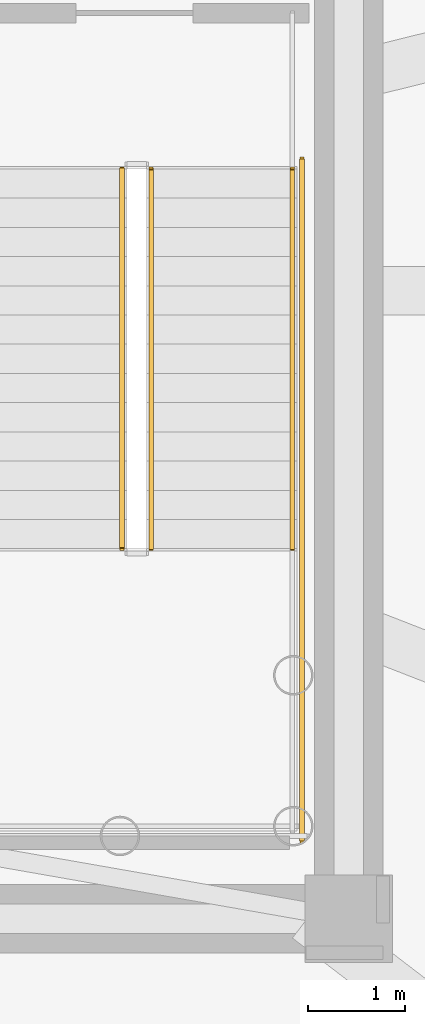
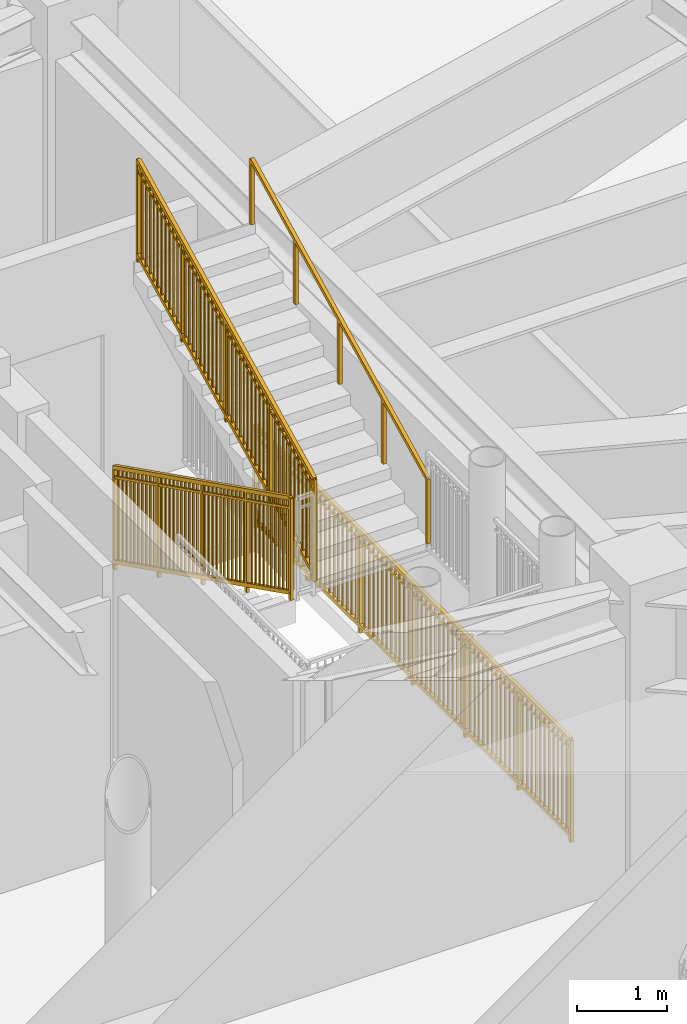
# One storey, part 20 of 23: 4 railings.
"""IFC4 building model written with IfcOpenShell, lengths in metres."""

from ifc_helpers import new_model, si_unit, direction, frame, origin, origin_2d, place, context, subcontext, project, spatial, rectangle, extrude, source, transform, mapped, material, type_object, element, save


model = new_model("IFC4")

# Units and contexts
model_context = context("Model", 3, precision=1e-05, world=origin(), true_north=direction((0.0, 1.0)))
body_context = subcontext(model_context, "Body", "Model", "MODEL_VIEW")
ifc_project = project(units=[si_unit("LENGTHUNIT", "METRE"), si_unit("AREAUNIT", "SQUARE_METRE"), si_unit("VOLUMEUNIT", "CUBIC_METRE"), si_unit("PLANEANGLEUNIT", "RADIAN"), si_unit("MASSUNIT", "GRAM", prefix="KILO")], contexts=[model_context])

# Site, building, storey
site_placement = place(None, origin())
site = spatial("IfcSite", under=ifc_project, at=site_placement, CompositionType="ELEMENT")
building_placement = place(site_placement, origin())
building = spatial("IfcBuilding", under=site, at=building_placement, Name="Linh Dai School and Residence Tower", CompositionType="ELEMENT")
storey_placement = place(building_placement, frame((0.0, 0.0, 359.39990234375)))
storey = spatial("IfcBuildingStorey", under=building, at=storey_placement, Name="L89", CompositionType="ELEMENT", Elevation=359.39990234375)

# Railings
ifc_material_1 = material(Name="Structural Steel S355JR", Category="steel")
railing_type_1 = type_object("IfcRailingType", Name="RL-ST-GUARD-1400", PredefinedType="GUARDRAIL", material=ifc_material_1)
shared_shape_1 = source(origin(), body_context, "Body", "SweptSolid", [
    extrude(rectangle(XDim=0.048095703125, YDim=0.048095703125, at=origin_2d()), frame((0.0, 0.0, 1.3759765625), z_axis=(0.0, -1.0, 0.0), x_axis=(1.0, 0.0, 0.0)), (0.0, 0.0, 1.0), 7.0),
    extrude(rectangle(XDim=0.048095703125, YDim=0.048095703125, at=origin_2d()), frame((0.0, 0.0, 0.10009765625), z_axis=(0.0, -1.0, 0.0), x_axis=(1.0, 0.0, 0.0)), (0.0, 0.0, 1.0), 7.0),
    extrude(rectangle(XDim=0.030029296875, YDim=0.030029296875, at=origin_2d()), frame((0.0, 0.0, 1.239990234375), z_axis=(0.0, -1.0, 0.0), x_axis=(1.0, 0.0, 0.0)), (0.0, 0.0, 1.0), 7.0),
    extrude(rectangle(XDim=0.02001953125, YDim=0.02001953125, at=origin_2d()), frame((0.0, -0.09716796875, 0.10009765625)), (0.0, 0.0, 1.0), 1.251708984375),
    extrude(rectangle(XDim=0.02001953125, YDim=0.02001953125, at=origin_2d()), frame((0.0, -0.1943359375, 0.10009765625)), (0.0, 0.0, 1.0), 1.251708984375),
    extrude(rectangle(XDim=0.02001953125, YDim=0.02001953125, at=origin_2d()), frame((0.0, -0.291748046875, 0.10009765625)), (0.0, 0.0, 1.0), 1.251708984375),
    extrude(rectangle(XDim=0.02001953125, YDim=0.02001953125, at=origin_2d()), frame((0.0, -0.388916015625, 0.10009765625)), (0.0, 0.0, 1.0), 1.251708984375),
    extrude(rectangle(XDim=0.02001953125, YDim=0.02001953125, at=origin_2d()), frame((0.0, -0.486083984375, 0.10009765625)), (0.0, 0.0, 1.0), 1.251708984375),
    extrude(rectangle(XDim=0.02001953125, YDim=0.02001953125, at=origin_2d()), frame((0.0, -0.583251953125, 0.10009765625)), (0.0, 0.0, 1.0), 1.251708984375),
    extrude(rectangle(XDim=0.02001953125, YDim=0.02001953125, at=origin_2d()), frame((0.0, -0.6806640625, 0.10009765625)), (0.0, 0.0, 1.0), 1.251708984375),
    extrude(rectangle(XDim=0.02001953125, YDim=0.02001953125, at=origin_2d()), frame((0.0, -0.77783203125, 0.10009765625)), (0.0, 0.0, 1.0), 1.251708984375),
    extrude(rectangle(XDim=0.02001953125, YDim=0.02001953125, at=origin_2d()), frame((0.0, -0.875, 0.10009765625)), (0.0, 0.0, 1.0), 1.251708984375),
    extrude(rectangle(XDim=0.02001953125, YDim=0.02001953125, at=origin_2d()), frame((0.0, -0.97216796875, 0.10009765625)), (0.0, 0.0, 1.0), 1.251708984375),
    extrude(rectangle(XDim=0.02001953125, YDim=0.02001953125, at=origin_2d()), frame((0.0, -1.0693359375, 0.10009765625)), (0.0, 0.0, 1.0), 1.251708984375),
    extrude(rectangle(XDim=0.02001953125, YDim=0.02001953125, at=origin_2d()), frame((0.0, -1.263916015625, 0.10009765625)), (0.0, 0.0, 1.0), 1.251708984375),
    extrude(rectangle(XDim=0.02001953125, YDim=0.02001953125, at=origin_2d()), frame((0.0, -1.361083984375, 0.10009765625)), (0.0, 0.0, 1.0), 1.251708984375),
    extrude(rectangle(XDim=0.02001953125, YDim=0.02001953125, at=origin_2d()), frame((0.0, -1.458251953125, 0.10009765625)), (0.0, 0.0, 1.0), 1.251708984375),
    extrude(rectangle(XDim=0.02001953125, YDim=0.02001953125, at=origin_2d()), frame((0.0, -1.5556640625, 0.10009765625)), (0.0, 0.0, 1.0), 1.251708984375),
    extrude(rectangle(XDim=0.02001953125, YDim=0.02001953125, at=origin_2d()), frame((0.0, -1.65283203125, 0.10009765625)), (0.0, 0.0, 1.0), 1.251708984375),
    extrude(rectangle(XDim=0.02001953125, YDim=0.02001953125, at=origin_2d()), frame((0.0, -1.75, 0.10009765625)), (0.0, 0.0, 1.0), 1.251708984375),
    extrude(rectangle(XDim=0.02001953125, YDim=0.02001953125, at=origin_2d()), frame((0.0, -1.84716796875, 0.10009765625)), (0.0, 0.0, 1.0), 1.251708984375),
    extrude(rectangle(XDim=0.02001953125, YDim=0.02001953125, at=origin_2d()), frame((0.0, -1.9443359375, 0.10009765625)), (0.0, 0.0, 1.0), 1.251708984375),
    extrude(rectangle(XDim=0.02001953125, YDim=0.02001953125, at=origin_2d()), frame((0.0, -2.041748046875, 0.10009765625)), (0.0, 0.0, 1.0), 1.251708984375),
    extrude(rectangle(XDim=0.02001953125, YDim=0.02001953125, at=origin_2d()), frame((0.0, -2.138916015625, 0.10009765625)), (0.0, 0.0, 1.0), 1.251708984375),
    extrude(rectangle(XDim=0.02001953125, YDim=0.02001953125, at=origin_2d()), frame((0.0, -2.236083984375, 0.10009765625)), (0.0, 0.0, 1.0), 1.251708984375),
    extrude(rectangle(XDim=0.02001953125, YDim=0.02001953125, at=origin_2d()), frame((0.0, -2.4306640625, 0.10009765625)), (0.0, 0.0, 1.0), 1.251708984375),
    extrude(rectangle(XDim=0.02001953125, YDim=0.02001953125, at=origin_2d()), frame((0.0, -2.52783203125, 0.10009765625)), (0.0, 0.0, 1.0), 1.251708984375),
    extrude(rectangle(XDim=0.02001953125, YDim=0.02001953125, at=origin_2d()), frame((0.0, -2.625, 0.10009765625)), (0.0, 0.0, 1.0), 1.251708984375),
    extrude(rectangle(XDim=0.02001953125, YDim=0.02001953125, at=origin_2d()), frame((0.0, -2.72216796875, 0.10009765625)), (0.0, 0.0, 1.0), 1.251708984375),
    extrude(rectangle(XDim=0.02001953125, YDim=0.02001953125, at=origin_2d()), frame((0.0, -2.8193359375, 0.10009765625)), (0.0, 0.0, 1.0), 1.251708984375),
    extrude(rectangle(XDim=0.02001953125, YDim=0.02001953125, at=origin_2d()), frame((0.0, -2.916748046875, 0.10009765625)), (0.0, 0.0, 1.0), 1.251708984375),
    extrude(rectangle(XDim=0.02001953125, YDim=0.02001953125, at=origin_2d()), frame((0.0, -3.013916015625, 0.10009765625)), (0.0, 0.0, 1.0), 1.251708984375),
    extrude(rectangle(XDim=0.02001953125, YDim=0.02001953125, at=origin_2d()), frame((0.0, -3.111083984375, 0.10009765625)), (0.0, 0.0, 1.0), 1.251708984375),
    extrude(rectangle(XDim=0.02001953125, YDim=0.02001953125, at=origin_2d()), frame((0.0, -3.208251953125, 0.10009765625)), (0.0, 0.0, 1.0), 1.251708984375),
    extrude(rectangle(XDim=0.02001953125, YDim=0.02001953125, at=origin_2d()), frame((0.0, -3.3056640625, 0.10009765625)), (0.0, 0.0, 1.0), 1.251708984375),
    extrude(rectangle(XDim=0.02001953125, YDim=0.02001953125, at=origin_2d()), frame((0.0, -3.40283203125, 0.10009765625)), (0.0, 0.0, 1.0), 1.251708984375),
    extrude(rectangle(XDim=0.02001953125, YDim=0.02001953125, at=origin_2d()), frame((0.0, -3.59716796875, 0.10009765625)), (0.0, 0.0, 1.0), 1.251708984375),
    extrude(rectangle(XDim=0.02001953125, YDim=0.02001953125, at=origin_2d()), frame((0.0, -3.6943359375, 0.10009765625)), (0.0, 0.0, 1.0), 1.251708984375),
    extrude(rectangle(XDim=0.02001953125, YDim=0.02001953125, at=origin_2d()), frame((0.0, -3.791748046875, 0.10009765625)), (0.0, 0.0, 1.0), 1.251708984375),
    extrude(rectangle(XDim=0.02001953125, YDim=0.02001953125, at=origin_2d()), frame((0.0, -3.888916015625, 0.10009765625)), (0.0, 0.0, 1.0), 1.251708984375),
    extrude(rectangle(XDim=0.02001953125, YDim=0.02001953125, at=origin_2d()), frame((0.0, -3.986083984375, 0.10009765625)), (0.0, 0.0, 1.0), 1.251708984375),
    extrude(rectangle(XDim=0.02001953125, YDim=0.02001953125, at=origin_2d()), frame((0.0, -4.083251953125, 0.10009765625)), (0.0, 0.0, 1.0), 1.251708984375),
    extrude(rectangle(XDim=0.02001953125, YDim=0.02001953125, at=origin_2d()), frame((0.0, -4.1806640625, 0.10009765625)), (0.0, 0.0, 1.0), 1.251708984375),
    extrude(rectangle(XDim=0.02001953125, YDim=0.02001953125, at=origin_2d()), frame((0.0, -4.27783203125, 0.10009765625)), (0.0, 0.0, 1.0), 1.251708984375),
    extrude(rectangle(XDim=0.02001953125, YDim=0.02001953125, at=origin_2d()), frame((0.0, -4.375, 0.10009765625)), (0.0, 0.0, 1.0), 1.251708984375),
    extrude(rectangle(XDim=0.02001953125, YDim=0.02001953125, at=origin_2d()), frame((0.0, -4.47216796875, 0.10009765625)), (0.0, 0.0, 1.0), 1.251708984375),
    extrude(rectangle(XDim=0.02001953125, YDim=0.02001953125, at=origin_2d()), frame((0.0, -4.5693359375, 0.10009765625)), (0.0, 0.0, 1.0), 1.251708984375),
    extrude(rectangle(XDim=0.02001953125, YDim=0.02001953125, at=origin_2d()), frame((0.0, -4.763916015625, 0.10009765625)), (0.0, 0.0, 1.0), 1.251708984375),
    extrude(rectangle(XDim=0.02001953125, YDim=0.02001953125, at=origin_2d()), frame((0.0, -4.861083984375, 0.10009765625)), (0.0, 0.0, 1.0), 1.251708984375),
    extrude(rectangle(XDim=0.02001953125, YDim=0.02001953125, at=origin_2d()), frame((0.0, -4.958251953125, 0.10009765625)), (0.0, 0.0, 1.0), 1.251708984375),
    extrude(rectangle(XDim=0.02001953125, YDim=0.02001953125, at=origin_2d()), frame((0.0, -5.0556640625, 0.10009765625)), (0.0, 0.0, 1.0), 1.251708984375),
    extrude(rectangle(XDim=0.02001953125, YDim=0.02001953125, at=origin_2d()), frame((0.0, -5.15283203125, 0.10009765625)), (0.0, 0.0, 1.0), 1.251708984375),
    extrude(rectangle(XDim=0.02001953125, YDim=0.02001953125, at=origin_2d()), frame((0.0, -5.25, 0.10009765625)), (0.0, 0.0, 1.0), 1.251708984375),
    extrude(rectangle(XDim=0.02001953125, YDim=0.02001953125, at=origin_2d()), frame((0.0, -5.34716796875, 0.10009765625)), (0.0, 0.0, 1.0), 1.251708984375),
    extrude(rectangle(XDim=0.02001953125, YDim=0.02001953125, at=origin_2d()), frame((0.0, -5.4443359375, 0.10009765625)), (0.0, 0.0, 1.0), 1.251708984375),
    extrude(rectangle(XDim=0.02001953125, YDim=0.02001953125, at=origin_2d()), frame((0.0, -5.541748046875, 0.10009765625)), (0.0, 0.0, 1.0), 1.251708984375),
    extrude(rectangle(XDim=0.02001953125, YDim=0.02001953125, at=origin_2d()), frame((0.0, -5.638916015625, 0.10009765625)), (0.0, 0.0, 1.0), 1.251708984375),
    extrude(rectangle(XDim=0.02001953125, YDim=0.02001953125, at=origin_2d()), frame((0.0, -5.736083984375, 0.10009765625)), (0.0, 0.0, 1.0), 1.251708984375),
    extrude(rectangle(XDim=0.02001953125, YDim=0.02001953125, at=origin_2d()), frame((0.0, -5.9306640625, 0.10009765625)), (0.0, 0.0, 1.0), 1.251708984375),
    extrude(rectangle(XDim=0.02001953125, YDim=0.02001953125, at=origin_2d()), frame((0.0, -6.02783203125, 0.10009765625)), (0.0, 0.0, 1.0), 1.251708984375),
    extrude(rectangle(XDim=0.02001953125, YDim=0.02001953125, at=origin_2d()), frame((0.0, -6.125, 0.10009765625)), (0.0, 0.0, 1.0), 1.251708984375),
    extrude(rectangle(XDim=0.02001953125, YDim=0.02001953125, at=origin_2d()), frame((0.0, -6.22216796875, 0.10009765625)), (0.0, 0.0, 1.0), 1.251708984375),
    extrude(rectangle(XDim=0.02001953125, YDim=0.02001953125, at=origin_2d()), frame((0.0, -6.3193359375, 0.10009765625)), (0.0, 0.0, 1.0), 1.251708984375),
    extrude(rectangle(XDim=0.02001953125, YDim=0.02001953125, at=origin_2d()), frame((0.0, -6.416748046875, 0.10009765625)), (0.0, 0.0, 1.0), 1.251708984375),
    extrude(rectangle(XDim=0.02001953125, YDim=0.02001953125, at=origin_2d()), frame((0.0, -6.513916015625, 0.10009765625)), (0.0, 0.0, 1.0), 1.251708984375),
    extrude(rectangle(XDim=0.02001953125, YDim=0.02001953125, at=origin_2d()), frame((0.0, -6.611083984375, 0.10009765625)), (0.0, 0.0, 1.0), 1.251708984375),
    extrude(rectangle(XDim=0.02001953125, YDim=0.02001953125, at=origin_2d()), frame((0.0, -6.708251953125, 0.10009765625)), (0.0, 0.0, 1.0), 1.251708984375),
    extrude(rectangle(XDim=0.02001953125, YDim=0.02001953125, at=origin_2d()), frame((0.0, -6.8056640625, 0.10009765625)), (0.0, 0.0, 1.0), 1.251708984375),
    extrude(rectangle(XDim=0.02001953125, YDim=0.02001953125, at=origin_2d()), frame((0.0, -6.90283203125, 0.10009765625)), (0.0, 0.0, 1.0), 1.251708984375),
    extrude(rectangle(XDim=0.0419921875, YDim=0.0419921875, at=origin_2d()), origin(), (0.0, 0.0, 1.0), 1.3759765625),
    extrude(rectangle(XDim=0.0419921875, YDim=0.0419921875, at=origin_2d()), frame((0.0, -1.166748046875, 0.0)), (0.0, 0.0, 1.0), 1.3759765625),
    extrude(rectangle(XDim=0.0419921875, YDim=0.0419921875, at=origin_2d()), frame((0.0, -2.333251953125, 0.0)), (0.0, 0.0, 1.0), 1.3759765625),
    extrude(rectangle(XDim=0.0419921875, YDim=0.0419921875, at=origin_2d()), frame((0.0, -3.5, 0.0)), (0.0, 0.0, 1.0), 1.3759765625),
    extrude(rectangle(XDim=0.0419921875, YDim=0.0419921875, at=origin_2d()), frame((0.0, -4.666748046875, 0.0)), (0.0, 0.0, 1.0), 1.3759765625),
    extrude(rectangle(XDim=0.0419921875, YDim=0.0419921875, at=origin_2d()), frame((0.0, -5.833251953125, 0.0)), (0.0, 0.0, 1.0), 1.3759765625),
    extrude(rectangle(XDim=0.0419921875, YDim=0.0419921875, at=origin_2d()), frame((0.0, -7.0, 0.0)), (0.0, 0.0, 1.0), 1.3759765625),
])
railing_1_placement = place(storey_placement, frame((44.3701171875, 28.35009765625, 0.0)))
element("IfcRailing", 1, at=railing_1_placement, inside=storey, type_object=railing_type_1, Name="L89 ST2 stair guard 11", PredefinedType="GUARDRAIL", context=body_context, shape_type="MappedRepresentation", body=[
    mapped(shared_shape_1, transform((0.0, 0.0, 0.0), x_axis=(1.0, 0.0, 0.0), y_axis=(0.0, 1.0, 0.0), z_axis=(0.0, 0.0, 1.0), scale=1.0)),
])
shared_shape_2 = source(origin(), body_context, "Body", "SweptSolid", [
    extrude(rectangle(XDim=0.048095703125, YDim=0.048095703125, at=origin_2d()), frame((0.0, 0.0, 1.3759765625), z_axis=(0.0, -0.894427191, 0.4472135955), x_axis=(1.0, 0.0, 0.0)), (0.0, 0.0, 1.0), 4.360107421875),
    extrude(rectangle(XDim=0.048095703125, YDim=0.048095703125, at=origin_2d()), frame((0.0, 0.0, 0.10009765625), z_axis=(0.0, -0.894427191, 0.4472135955), x_axis=(1.0, 0.0, 0.0)), (0.0, 0.0, 1.0), 4.360107421875),
    extrude(rectangle(XDim=0.030029296875, YDim=0.030029296875, at=origin_2d()), frame((0.0, 0.0, 1.239990234375), z_axis=(0.0, -0.894427191, 0.4472135955), x_axis=(1.0, 0.0, 0.0)), (0.0, 0.0, 1.0), 4.360107421875),
    extrude(rectangle(XDim=0.02001953125, YDim=0.02001953125, at=origin_2d()), frame((0.0, -0.086669921875, 0.143310546875)), (0.0, 0.0, 1.0), 1.251708984375),
    extrude(rectangle(XDim=0.02001953125, YDim=0.02001953125, at=origin_2d()), frame((0.0, -0.17333984375, 0.186767578125)), (0.0, 0.0, 1.0), 1.251708984375),
    extrude(rectangle(XDim=0.02001953125, YDim=0.02001953125, at=origin_2d()), frame((0.0, -0.260009765625, 0.22998046875)), (0.0, 0.0, 1.0), 1.251708984375),
    extrude(rectangle(XDim=0.02001953125, YDim=0.02001953125, at=origin_2d()), frame((0.0, -0.3466796875, 0.2734375)), (0.0, 0.0, 1.0), 1.251708984375),
    extrude(rectangle(XDim=0.02001953125, YDim=0.02001953125, at=origin_2d()), frame((0.0, -0.433349609375, 0.316650390625)), (0.0, 0.0, 1.0), 1.251708984375),
    extrude(rectangle(XDim=0.02001953125, YDim=0.02001953125, at=origin_2d()), frame((0.0, -0.52001953125, 0.360107421875)), (0.0, 0.0, 1.0), 1.251708984375),
    extrude(rectangle(XDim=0.02001953125, YDim=0.02001953125, at=origin_2d()), frame((0.0, -0.606689453125, 0.4033203125)), (0.0, 0.0, 1.0), 1.251708984375),
    extrude(rectangle(XDim=0.02001953125, YDim=0.02001953125, at=origin_2d()), frame((0.0, -0.693359375, 0.44677734375)), (0.0, 0.0, 1.0), 1.251708984375),
    extrude(rectangle(XDim=0.02001953125, YDim=0.02001953125, at=origin_2d()), frame((0.0, -0.780029296875, 0.489990234375)), (0.0, 0.0, 1.0), 1.251708984375),
    extrude(rectangle(XDim=0.02001953125, YDim=0.02001953125, at=origin_2d()), frame((0.0, -0.86669921875, 0.533447265625)), (0.0, 0.0, 1.0), 1.251708984375),
    extrude(rectangle(XDim=0.02001953125, YDim=0.02001953125, at=origin_2d()), frame((0.0, -1.0400390625, 0.6201171875)), (0.0, 0.0, 1.0), 1.251708984375),
    extrude(rectangle(XDim=0.02001953125, YDim=0.02001953125, at=origin_2d()), frame((0.0, -1.126708984375, 0.663330078125)), (0.0, 0.0, 1.0), 1.251708984375),
    extrude(rectangle(XDim=0.02001953125, YDim=0.02001953125, at=origin_2d()), frame((0.0, -1.21337890625, 0.706787109375)), (0.0, 0.0, 1.0), 1.251708984375),
    extrude(rectangle(XDim=0.02001953125, YDim=0.02001953125, at=origin_2d()), frame((0.0, -1.300048828125, 0.75)), (0.0, 0.0, 1.0), 1.251708984375),
    extrude(rectangle(XDim=0.02001953125, YDim=0.02001953125, at=origin_2d()), frame((0.0, -1.38671875, 0.79345703125)), (0.0, 0.0, 1.0), 1.251708984375),
    extrude(rectangle(XDim=0.02001953125, YDim=0.02001953125, at=origin_2d()), frame((0.0, -1.473388671875, 0.836669921875)), (0.0, 0.0, 1.0), 1.251708984375),
    extrude(rectangle(XDim=0.02001953125, YDim=0.02001953125, at=origin_2d()), frame((0.0, -1.56005859375, 0.880126953125)), (0.0, 0.0, 1.0), 1.251708984375),
    extrude(rectangle(XDim=0.02001953125, YDim=0.02001953125, at=origin_2d()), frame((0.0, -1.646728515625, 0.92333984375)), (0.0, 0.0, 1.0), 1.251708984375),
    extrude(rectangle(XDim=0.02001953125, YDim=0.02001953125, at=origin_2d()), frame((0.0, -1.7333984375, 0.966796875)), (0.0, 0.0, 1.0), 1.251708984375),
    extrude(rectangle(XDim=0.02001953125, YDim=0.02001953125, at=origin_2d()), frame((0.0, -1.820068359375, 1.010009765625)), (0.0, 0.0, 1.0), 1.251708984375),
    extrude(rectangle(XDim=0.02001953125, YDim=0.02001953125, at=origin_2d()), frame((0.0, -1.90673828125, 1.053466796875)), (0.0, 0.0, 1.0), 1.251708984375),
    extrude(rectangle(XDim=0.02001953125, YDim=0.02001953125, at=origin_2d()), frame((0.0, -1.9931640625, 1.0966796875)), (0.0, 0.0, 1.0), 1.251708984375),
    extrude(rectangle(XDim=0.02001953125, YDim=0.02001953125, at=origin_2d()), frame((0.0, -2.079833984375, 1.14013671875)), (0.0, 0.0, 1.0), 1.251708984375),
    extrude(rectangle(XDim=0.02001953125, YDim=0.02001953125, at=origin_2d()), frame((0.0, -2.16650390625, 1.183349609375)), (0.0, 0.0, 1.0), 1.251708984375),
    extrude(rectangle(XDim=0.02001953125, YDim=0.02001953125, at=origin_2d()), frame((0.0, -2.253173828125, 1.226806640625)), (0.0, 0.0, 1.0), 1.251708984375),
    extrude(rectangle(XDim=0.02001953125, YDim=0.02001953125, at=origin_2d()), frame((0.0, -2.33984375, 1.27001953125)), (0.0, 0.0, 1.0), 1.251708984375),
    extrude(rectangle(XDim=0.02001953125, YDim=0.02001953125, at=origin_2d()), frame((0.0, -2.426513671875, 1.3134765625)), (0.0, 0.0, 1.0), 1.251708984375),
    extrude(rectangle(XDim=0.02001953125, YDim=0.02001953125, at=origin_2d()), frame((0.0, -2.51318359375, 1.356689453125)), (0.0, 0.0, 1.0), 1.251708984375),
    extrude(rectangle(XDim=0.02001953125, YDim=0.02001953125, at=origin_2d()), frame((0.0, -2.599853515625, 1.400146484375)), (0.0, 0.0, 1.0), 1.251708984375),
    extrude(rectangle(XDim=0.02001953125, YDim=0.02001953125, at=origin_2d()), frame((0.0, -2.6865234375, 1.443359375)), (0.0, 0.0, 1.0), 1.251708984375),
    extrude(rectangle(XDim=0.02001953125, YDim=0.02001953125, at=origin_2d()), frame((0.0, -2.773193359375, 1.48681640625)), (0.0, 0.0, 1.0), 1.251708984375),
    extrude(rectangle(XDim=0.02001953125, YDim=0.02001953125, at=origin_2d()), frame((0.0, -2.85986328125, 1.530029296875)), (0.0, 0.0, 1.0), 1.251708984375),
    extrude(rectangle(XDim=0.02001953125, YDim=0.02001953125, at=origin_2d()), frame((0.0, -3.033203125, 1.61669921875)), (0.0, 0.0, 1.0), 1.251708984375),
    extrude(rectangle(XDim=0.02001953125, YDim=0.02001953125, at=origin_2d()), frame((0.0, -3.119873046875, 1.66015625)), (0.0, 0.0, 1.0), 1.251708984375),
    extrude(rectangle(XDim=0.02001953125, YDim=0.02001953125, at=origin_2d()), frame((0.0, -3.20654296875, 1.703369140625)), (0.0, 0.0, 1.0), 1.251708984375),
    extrude(rectangle(XDim=0.02001953125, YDim=0.02001953125, at=origin_2d()), frame((0.0, -3.293212890625, 1.746826171875)), (0.0, 0.0, 1.0), 1.251708984375),
    extrude(rectangle(XDim=0.02001953125, YDim=0.02001953125, at=origin_2d()), frame((0.0, -3.3798828125, 1.7900390625)), (0.0, 0.0, 1.0), 1.251708984375),
    extrude(rectangle(XDim=0.02001953125, YDim=0.02001953125, at=origin_2d()), frame((0.0, -3.466552734375, 1.83349609375)), (0.0, 0.0, 1.0), 1.251708984375),
    extrude(rectangle(XDim=0.02001953125, YDim=0.02001953125, at=origin_2d()), frame((0.0, -3.55322265625, 1.876708984375)), (0.0, 0.0, 1.0), 1.251708984375),
    extrude(rectangle(XDim=0.02001953125, YDim=0.02001953125, at=origin_2d()), frame((0.0, -3.639892578125, 1.920166015625)), (0.0, 0.0, 1.0), 1.251708984375),
    extrude(rectangle(XDim=0.02001953125, YDim=0.02001953125, at=origin_2d()), frame((0.0, -3.7265625, 1.96337890625)), (0.0, 0.0, 1.0), 1.251708984375),
    extrude(rectangle(XDim=0.02001953125, YDim=0.02001953125, at=origin_2d()), frame((0.0, -3.813232421875, 2.0068359375)), (0.0, 0.0, 1.0), 1.251708984375),
    extrude(rectangle(XDim=0.0419921875, YDim=0.0419921875, at=origin_2d()), origin(), (0.0, 0.0, 1.0), 1.3759765625),
    extrude(rectangle(XDim=0.0419921875, YDim=0.0419921875, at=origin_2d()), frame((0.0, -0.97509765625, 0.487548828125)), (0.0, 0.0, 1.0), 1.3759765625),
    extrude(rectangle(XDim=0.0419921875, YDim=0.0419921875, at=origin_2d()), frame((0.0, -1.949951171875, 0.97509765625)), (0.0, 0.0, 1.0), 1.3759765625),
    extrude(rectangle(XDim=0.0419921875, YDim=0.0419921875, at=origin_2d()), frame((0.0, -2.9248046875, 1.46240234375)), (0.0, 0.0, 1.0), 1.3759765625),
    extrude(rectangle(XDim=0.0419921875, YDim=0.0419921875, at=origin_2d()), frame((0.0, -3.89990234375, 1.949951171875)), (0.0, 0.0, 1.0), 1.3759765625),
])
railing_2_placement = place(storey_placement, frame((42.52001953125, 28.25, 0.150146484375)))
element("IfcRailing", 2, at=railing_2_placement, inside=storey, type_object=railing_type_1, Name="L89 ST2 stair guard 1", PredefinedType="GUARDRAIL", context=body_context, shape_type="MappedRepresentation", body=[
    mapped(shared_shape_2, transform((0.0, 0.0, 0.0), x_axis=(1.0, 0.0, 0.0), y_axis=(0.0, 1.0, 0.0), z_axis=(0.0, 0.0, 1.0), scale=1.0)),
])
shared_shape_3 = source(origin(), body_context, "Body", "SweptSolid", [
    extrude(rectangle(XDim=0.048095703125, YDim=0.048095703125, at=origin_2d()), frame((0.0, 0.0, 1.3759765625), z_axis=(0.0, 0.894404793364, 0.447258387967), x_axis=(-1.0, 0.0, 0.0)), (0.0, 0.0, 1.0), 4.3603515625),
    extrude(rectangle(XDim=0.048095703125, YDim=0.048095703125, at=origin_2d()), frame((0.0, 0.0, 0.10009765625), z_axis=(0.0, 0.894404793364, 0.447258387967), x_axis=(-1.0, 0.0, 0.0)), (0.0, 0.0, 1.0), 4.3603515625),
    extrude(rectangle(XDim=0.030029296875, YDim=0.030029296875, at=origin_2d()), frame((0.0, 0.0, 1.239990234375), z_axis=(0.0, 0.894404793364, 0.447258387967), x_axis=(-1.0, 0.0, 0.0)), (0.0, 0.0, 1.0), 4.3603515625),
    extrude(rectangle(XDim=0.02001953125, YDim=0.02001953125, at=origin_2d()), frame((0.0, 0.086669921875, 0.1435546875)), (0.0, 0.0, 1.0), 1.251708984375),
    extrude(rectangle(XDim=0.02001953125, YDim=0.02001953125, at=origin_2d()), frame((0.0, 0.17333984375, 0.186767578125)), (0.0, 0.0, 1.0), 1.251708984375),
    extrude(rectangle(XDim=0.02001953125, YDim=0.02001953125, at=origin_2d()), frame((0.0, 0.260009765625, 0.230224609375)), (0.0, 0.0, 1.0), 1.251708984375),
    extrude(rectangle(XDim=0.02001953125, YDim=0.02001953125, at=origin_2d()), frame((0.0, 0.3466796875, 0.2734375)), (0.0, 0.0, 1.0), 1.251708984375),
    extrude(rectangle(XDim=0.02001953125, YDim=0.02001953125, at=origin_2d()), frame((0.0, 0.433349609375, 0.31689453125)), (0.0, 0.0, 1.0), 1.251708984375),
    extrude(rectangle(XDim=0.02001953125, YDim=0.02001953125, at=origin_2d()), frame((0.0, 0.52001953125, 0.360107421875)), (0.0, 0.0, 1.0), 1.251708984375),
    extrude(rectangle(XDim=0.02001953125, YDim=0.02001953125, at=origin_2d()), frame((0.0, 0.606689453125, 0.403564453125)), (0.0, 0.0, 1.0), 1.251708984375),
    extrude(rectangle(XDim=0.02001953125, YDim=0.02001953125, at=origin_2d()), frame((0.0, 0.693359375, 0.44677734375)), (0.0, 0.0, 1.0), 1.251708984375),
    extrude(rectangle(XDim=0.02001953125, YDim=0.02001953125, at=origin_2d()), frame((0.0, 0.780029296875, 0.490234375)), (0.0, 0.0, 1.0), 1.251708984375),
    extrude(rectangle(XDim=0.02001953125, YDim=0.02001953125, at=origin_2d()), frame((0.0, 0.86669921875, 0.533447265625)), (0.0, 0.0, 1.0), 1.251708984375),
    extrude(rectangle(XDim=0.02001953125, YDim=0.02001953125, at=origin_2d()), frame((0.0, 1.0400390625, 0.6201171875)), (0.0, 0.0, 1.0), 1.251708984375),
    extrude(rectangle(XDim=0.02001953125, YDim=0.02001953125, at=origin_2d()), frame((0.0, 1.126708984375, 0.66357421875)), (0.0, 0.0, 1.0), 1.251708984375),
    extrude(rectangle(XDim=0.02001953125, YDim=0.02001953125, at=origin_2d()), frame((0.0, 1.21337890625, 0.706787109375)), (0.0, 0.0, 1.0), 1.251708984375),
    extrude(rectangle(XDim=0.02001953125, YDim=0.02001953125, at=origin_2d()), frame((0.0, 1.300048828125, 0.750244140625)), (0.0, 0.0, 1.0), 1.251708984375),
    extrude(rectangle(XDim=0.02001953125, YDim=0.02001953125, at=origin_2d()), frame((0.0, 1.38671875, 0.79345703125)), (0.0, 0.0, 1.0), 1.251708984375),
    extrude(rectangle(XDim=0.02001953125, YDim=0.02001953125, at=origin_2d()), frame((0.0, 1.473388671875, 0.8369140625)), (0.0, 0.0, 1.0), 1.251708984375),
    extrude(rectangle(XDim=0.02001953125, YDim=0.02001953125, at=origin_2d()), frame((0.0, 1.56005859375, 0.880126953125)), (0.0, 0.0, 1.0), 1.251708984375),
    extrude(rectangle(XDim=0.02001953125, YDim=0.02001953125, at=origin_2d()), frame((0.0, 1.646728515625, 0.923583984375)), (0.0, 0.0, 1.0), 1.251708984375),
    extrude(rectangle(XDim=0.02001953125, YDim=0.02001953125, at=origin_2d()), frame((0.0, 1.7333984375, 0.966796875)), (0.0, 0.0, 1.0), 1.251708984375),
    extrude(rectangle(XDim=0.02001953125, YDim=0.02001953125, at=origin_2d()), frame((0.0, 1.820068359375, 1.01025390625)), (0.0, 0.0, 1.0), 1.251708984375),
    extrude(rectangle(XDim=0.02001953125, YDim=0.02001953125, at=origin_2d()), frame((0.0, 1.90673828125, 1.053466796875)), (0.0, 0.0, 1.0), 1.251708984375),
    extrude(rectangle(XDim=0.02001953125, YDim=0.02001953125, at=origin_2d()), frame((0.0, 1.9931640625, 1.096923828125)), (0.0, 0.0, 1.0), 1.251708984375),
    extrude(rectangle(XDim=0.02001953125, YDim=0.02001953125, at=origin_2d()), frame((0.0, 2.079833984375, 1.14013671875)), (0.0, 0.0, 1.0), 1.251708984375),
    extrude(rectangle(XDim=0.02001953125, YDim=0.02001953125, at=origin_2d()), frame((0.0, 2.16650390625, 1.18359375)), (0.0, 0.0, 1.0), 1.251708984375),
    extrude(rectangle(XDim=0.02001953125, YDim=0.02001953125, at=origin_2d()), frame((0.0, 2.253173828125, 1.226806640625)), (0.0, 0.0, 1.0), 1.251708984375),
    extrude(rectangle(XDim=0.02001953125, YDim=0.02001953125, at=origin_2d()), frame((0.0, 2.33984375, 1.270263671875)), (0.0, 0.0, 1.0), 1.251708984375),
    extrude(rectangle(XDim=0.02001953125, YDim=0.02001953125, at=origin_2d()), frame((0.0, 2.426513671875, 1.3134765625)), (0.0, 0.0, 1.0), 1.251708984375),
    extrude(rectangle(XDim=0.02001953125, YDim=0.02001953125, at=origin_2d()), frame((0.0, 2.51318359375, 1.35693359375)), (0.0, 0.0, 1.0), 1.251708984375),
    extrude(rectangle(XDim=0.02001953125, YDim=0.02001953125, at=origin_2d()), frame((0.0, 2.599853515625, 1.400146484375)), (0.0, 0.0, 1.0), 1.251708984375),
    extrude(rectangle(XDim=0.02001953125, YDim=0.02001953125, at=origin_2d()), frame((0.0, 2.6865234375, 1.443603515625)), (0.0, 0.0, 1.0), 1.251708984375),
    extrude(rectangle(XDim=0.02001953125, YDim=0.02001953125, at=origin_2d()), frame((0.0, 2.773193359375, 1.48681640625)), (0.0, 0.0, 1.0), 1.251708984375),
    extrude(rectangle(XDim=0.02001953125, YDim=0.02001953125, at=origin_2d()), frame((0.0, 2.85986328125, 1.5302734375)), (0.0, 0.0, 1.0), 1.251708984375),
    extrude(rectangle(XDim=0.02001953125, YDim=0.02001953125, at=origin_2d()), frame((0.0, 3.033203125, 1.616943359375)), (0.0, 0.0, 1.0), 1.251708984375),
    extrude(rectangle(XDim=0.02001953125, YDim=0.02001953125, at=origin_2d()), frame((0.0, 3.119873046875, 1.66015625)), (0.0, 0.0, 1.0), 1.251708984375),
    extrude(rectangle(XDim=0.02001953125, YDim=0.02001953125, at=origin_2d()), frame((0.0, 3.20654296875, 1.70361328125)), (0.0, 0.0, 1.0), 1.251708984375),
    extrude(rectangle(XDim=0.02001953125, YDim=0.02001953125, at=origin_2d()), frame((0.0, 3.293212890625, 1.746826171875)), (0.0, 0.0, 1.0), 1.251708984375),
    extrude(rectangle(XDim=0.02001953125, YDim=0.02001953125, at=origin_2d()), frame((0.0, 3.3798828125, 1.790283203125)), (0.0, 0.0, 1.0), 1.251708984375),
    extrude(rectangle(XDim=0.02001953125, YDim=0.02001953125, at=origin_2d()), frame((0.0, 3.466552734375, 1.83349609375)), (0.0, 0.0, 1.0), 1.251708984375),
    extrude(rectangle(XDim=0.02001953125, YDim=0.02001953125, at=origin_2d()), frame((0.0, 3.55322265625, 1.876953125)), (0.0, 0.0, 1.0), 1.251708984375),
    extrude(rectangle(XDim=0.02001953125, YDim=0.02001953125, at=origin_2d()), frame((0.0, 3.639892578125, 1.920166015625)), (0.0, 0.0, 1.0), 1.251708984375),
    extrude(rectangle(XDim=0.02001953125, YDim=0.02001953125, at=origin_2d()), frame((0.0, 3.7265625, 1.963623046875)), (0.0, 0.0, 1.0), 1.251708984375),
    extrude(rectangle(XDim=0.02001953125, YDim=0.02001953125, at=origin_2d()), frame((0.0, 3.813232421875, 2.0068359375)), (0.0, 0.0, 1.0), 1.251708984375),
    extrude(rectangle(XDim=0.0419921875, YDim=0.0419921875, at=origin_2d()), origin(), (0.0, 0.0, 1.0), 1.3759765625),
    extrude(rectangle(XDim=0.0419921875, YDim=0.0419921875, at=origin_2d()), frame((0.0, 0.97509765625, 0.487548828125)), (0.0, 0.0, 1.0), 1.3759765625),
    extrude(rectangle(XDim=0.0419921875, YDim=0.0419921875, at=origin_2d()), frame((0.0, 1.949951171875, 0.97509765625)), (0.0, 0.0, 1.0), 1.3759765625),
    extrude(rectangle(XDim=0.0419921875, YDim=0.0419921875, at=origin_2d()), frame((0.0, 2.9248046875, 1.462646484375)), (0.0, 0.0, 1.0), 1.3759765625),
    extrude(rectangle(XDim=0.0419921875, YDim=0.0419921875, at=origin_2d()), frame((0.0, 3.89990234375, 1.9501953125)), (0.0, 0.0, 1.0), 1.3759765625),
])
railing_3_placement = place(storey_placement, frame((42.820068359375, 24.35009765625, 2.25)))
element("IfcRailing", 3, at=railing_3_placement, inside=storey, type_object=railing_type_1, Name="L89 ST2 stair guard 6", PredefinedType="GUARDRAIL", context=body_context, shape_type="MappedRepresentation", body=[
    mapped(shared_shape_3, transform((0.0, 0.0, 0.0), x_axis=(1.0, 0.0, 0.0), y_axis=(0.0, 1.0, 0.0), z_axis=(0.0, 0.0, 1.0), scale=1.0)),
])
ifc_material_2 = material(Name="Brushed Stainless Steel Handrail", Category="steel")
railing_type_2 = type_object("IfcRailingType", Name="RL-ST-HANDRAIL-900", PredefinedType="HANDRAIL", material=ifc_material_2)
shared_shape_4 = source(origin(), body_context, "Body", "SweptSolid", [
    extrude(rectangle(XDim=0.048095703125, YDim=0.048095703125, at=origin_2d()), frame((0.0, 0.0, 0.8759765625), z_axis=(0.0, 0.894404793364, 0.447258387967), x_axis=(-1.0, 0.0, 0.0)), (0.0, 0.0, 1.0), 4.3603515625),
    extrude(rectangle(XDim=0.0419921875, YDim=0.0419921875, at=origin_2d()), origin(), (0.0, 0.0, 1.0), 0.8759765625),
    extrude(rectangle(XDim=0.0419921875, YDim=0.0419921875, at=origin_2d()), frame((0.0, 0.97509765625, 0.487548828125)), (0.0, 0.0, 1.0), 0.8759765625),
    extrude(rectangle(XDim=0.0419921875, YDim=0.0419921875, at=origin_2d()), frame((0.0, 1.949951171875, 0.97509765625)), (0.0, 0.0, 1.0), 0.8759765625),
    extrude(rectangle(XDim=0.0419921875, YDim=0.0419921875, at=origin_2d()), frame((0.0, 2.9248046875, 1.462646484375)), (0.0, 0.0, 1.0), 0.8759765625),
    extrude(rectangle(XDim=0.0419921875, YDim=0.0419921875, at=origin_2d()), frame((0.0, 3.89990234375, 1.9501953125)), (0.0, 0.0, 1.0), 0.8759765625),
])
railing_4_placement = place(storey_placement, frame((44.27001953125, 24.35009765625, 2.25)))
element("IfcRailing", 4, at=railing_4_placement, inside=storey, type_object=railing_type_2, Name="L89 ST2 stair handrail 2", PredefinedType="HANDRAIL", context=body_context, shape_type="MappedRepresentation", body=[
    mapped(shared_shape_4, transform((0.0, 0.0, 0.0), x_axis=(1.0, 0.0, 0.0), y_axis=(0.0, 1.0, 0.0), z_axis=(0.0, 0.0, 1.0), scale=1.0)),
])

save(model, "model.ifc")
